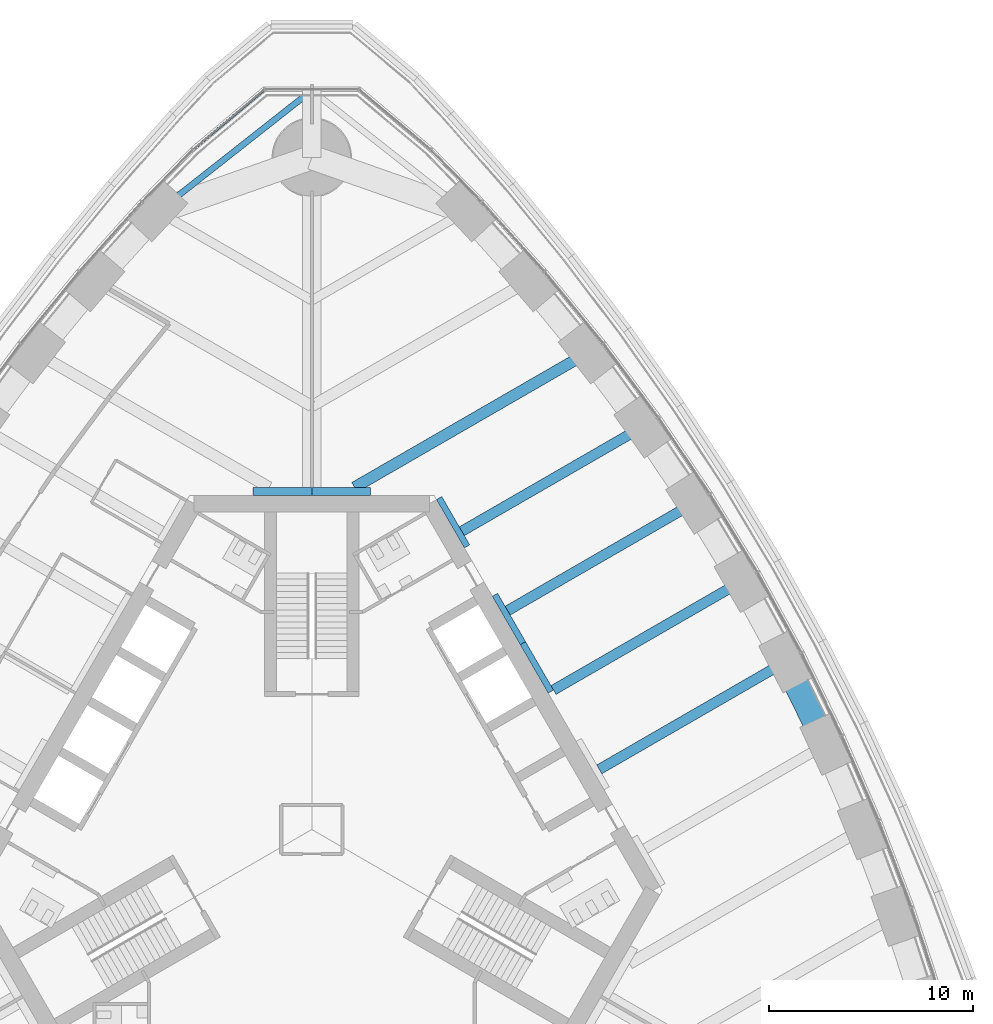
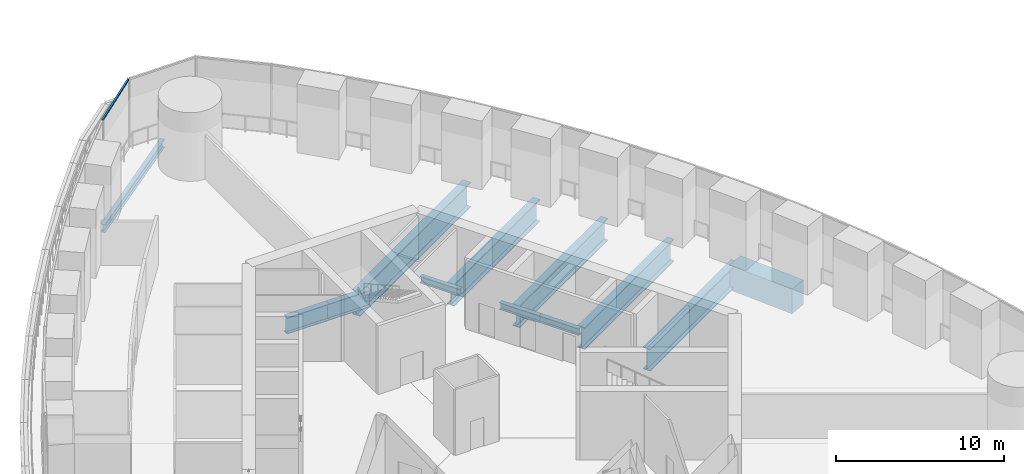
# One storey, part 7 of 31: 12 beams, 1 member, 1 element without a shape of its own.
"""IFC4 building model written with IfcOpenShell, lengths in metres."""

from ifc_helpers import new_model, si_unit, direction, frame, origin, origin_2d, place, context, subcontext, project, spatial, rectangle, i_section, extrude, material, material_profile, profile_set, type_object, element, aggregate, save


model = new_model("IFC4")

# Units and contexts
model_context = context("Model", 3, precision=1e-05, world=origin(), true_north=direction((0.0, 1.0)))
body_context = subcontext(model_context, "Body", "Model", "MODEL_VIEW")
ifc_project = project(units=[si_unit("LENGTHUNIT", "METRE"), si_unit("AREAUNIT", "SQUARE_METRE"), si_unit("VOLUMEUNIT", "CUBIC_METRE"), si_unit("PLANEANGLEUNIT", "RADIAN"), si_unit("MASSUNIT", "GRAM", prefix="KILO")], contexts=[model_context])

# Site, building, storey
site_placement = place(None, origin())
site = spatial("IfcSite", under=ifc_project, at=site_placement, CompositionType="ELEMENT")
building_placement = place(site_placement, origin())
building = spatial("IfcBuilding", under=site, at=building_placement, Name="Trefoil Bronze Tower", CompositionType="ELEMENT")
storey_placement = place(building_placement, frame((0.0, 0.0, 184.699951171875)))
storey = spatial("IfcBuildingStorey", under=building, at=storey_placement, Name="L42", CompositionType="ELEMENT", Elevation=184.699951171875)

# Curtain wall, member
ifc_material_1 = material(Name="Tinted solar-control glass", Category="glass")
curtain_wall_type = type_object("IfcCurtainWallType", Name="Bronze rounded corner curtain wall", PredefinedType="USERDEFINED", material=ifc_material_1)
curtain_wall_placement = place(storey_placement, origin())
curtain_wall = element("IfcCurtainWall", 1, at=curtain_wall_placement, inside=storey, type_object=curtain_wall_type, Name="CW-B L42 K2", ObjectType="CURTAIN WALL", PredefinedType="USERDEFINED")
ifc_material_2 = material(Name="Bronze-finish aluminium", Category="aluminium")
ifc_material_profile_1 = material_profile(ifc_material_2, rectangle(XDim=0.1201171875, YDim=0.10009765625, at=origin_2d()), Name="CW-B transom")
ifc_profile_set_1 = profile_set([ifc_material_profile_1], Name="Bronze-finish aluminium")
member_type = type_object("IfcMemberType", Name="Bronze rounded corner curtain wall transom", PredefinedType="USERDEFINED", material=ifc_profile_set_1)
member_placement = place(storey_placement, frame((-2.367431640625, 36.289794921875, 4.929931640625), z_axis=(-0.766046761698, -0.642784846501, 0.0), x_axis=(0.642784846501, -0.766046761698, 0.0)))
member = element("IfcMember", 2, at=member_placement, type_object=member_type, Name="CW-B L42 K2 transom 3", ObjectType="TRANSOM", PredefinedType="USERDEFINED", context=body_context, shape_type="SweptSolid", body=[
    extrude(rectangle(XDim=0.1201171875, YDim=0.10009765625, at=origin_2d()), origin(), (0.0, 0.0, 1.0), 4.5),
])
aggregate(curtain_wall, [member])

# Beams
ifc_material_3 = material(Name="Steel C355", Category="steel")
ifc_material_profile_2 = material_profile(ifc_material_3, i_section(OverallWidth=0.300048828125, OverallDepth=0.5, WebThickness=0.014404296875, FlangeThickness=0.028076171875, FilletRadius=0.027099609375, at=origin_2d()), Name="HEB 500")
ifc_profile_set_2 = profile_set([ifc_material_profile_2], Name="Steel C355")
beam_type_1 = type_object("IfcBeamType", Name="Core seat beam HEB 500", PredefinedType="BEAM", material=ifc_profile_set_2)
for number, where, z_axis, x_axis, name in (
    (3, (11.734619140625, 6.77490234375, -0.449951171875), (-0.499969057507, 0.866043267704, 0.0), (-0.866043267704, -0.499969057507, 0.0), "Core seat beam F2/+0 L42"),
    (4, (10.363525390625, 9.14990234375, -0.449951171875), (-0.500035825175, 0.866004719122, 0.0), (-0.866004719122, -0.500035825175, 0.0), "Core seat beam F2/+1 L42"),
    (5, (7.62109375, 13.89990234375, -0.449951171875), (-0.500035825175, 0.866004719122, 0.0), (-0.866004719122, -0.500035825175, 0.0), "Core seat beam F2/+2 L42"),
):
    element("IfcBeam", number, at=place(storey_placement, frame(where, z_axis=z_axis, x_axis=x_axis)), inside=storey, type_object=beam_type_1, Name=name, PredefinedType="BEAM", context=body_context, shape_type="SweptSolid", body=[
        extrude(i_section(OverallWidth=0.300048828125, OverallDepth=0.5, WebThickness=0.014404296875, FlangeThickness=0.028076171875, FilletRadius=0.027099609375, at=origin_2d()), origin(), (0.0, 0.0, 1.0), 2.742431640625),
    ])
ifc_material_4 = material(Name="Steel C355", Category="steel")
ifc_material_profile_3 = material_profile(ifc_material_4, i_section(OverallWidth=0.39990234375, OverallDepth=1.199951171875, WebThickness=0.02001953125, FlangeThickness=0.0400390625, FilletRadius=0.010009765625, at=origin_2d()), Name="WPG 1200")
ifc_profile_set_3 = profile_set([ifc_material_profile_3], Name="Steel C355")
beam_type_2 = type_object("IfcBeamType", Name="Core seat beam WPG 1200", PredefinedType="BEAM", material=ifc_profile_set_3)
for number, where, z_axis, x_axis, name in (
    (6, (2.88671875, 16.60009765625, -0.800048828125), (-1.0, 0.0, 0.0), (0.0, -1.0, 0.0), "Core seat beam F2/+3 L42"),
    (7, (0.0, 16.60009765625, -0.800048828125), (-1.0, 0.0, 0.0), (0.0, -1.0, 0.0), "Core seat beam F3/-3 L42"),
):
    element("IfcBeam", number, at=place(storey_placement, frame(where, z_axis=z_axis, x_axis=x_axis)), inside=storey, type_object=beam_type_2, Name=name, PredefinedType="BEAM", context=body_context, shape_type="SweptSolid", body=[
        extrude(i_section(OverallWidth=0.39990234375, OverallDepth=1.199951171875, WebThickness=0.02001953125, FlangeThickness=0.0400390625, FilletRadius=0.010009765625, at=origin_2d()), origin(), (0.0, 0.0, 1.0), 2.88671875),
    ])
ifc_material_5 = material(Name="Steel C355", Category="steel")
ifc_material_profile_4 = material_profile(ifc_material_5, i_section(OverallWidth=0.300048828125, OverallDepth=0.60009765625, WebThickness=0.015380859375, FlangeThickness=0.030029296875, FilletRadius=0.027099609375, at=origin_2d()), Name="HEB 600")
ifc_profile_set_4 = profile_set([ifc_material_profile_4], Name="Steel C355")
beam_type_3 = type_object("IfcBeamType", Name="Corner edge beam HEB 600", PredefinedType="BEAM", material=ifc_profile_set_4)
beam_1_placement = place(storey_placement, frame((-7.552001953125, 30.3408203125, -0.5), z_axis=(0.785805912008, 0.618473175371, 0.0), x_axis=(-0.618473175371, 0.785805912008, 0.0)))
element("IfcBeam", 8, at=beam_1_placement, inside=storey, type_object=beam_type_3, Name="Corner edge beam F3B L42", PredefinedType="BEAM", context=body_context, shape_type="SweptSolid", body=[
    extrude(i_section(OverallWidth=0.300048828125, OverallDepth=0.60009765625, WebThickness=0.015380859375, FlangeThickness=0.030029296875, FilletRadius=0.027099609375, at=origin_2d()), origin(), (0.0, 0.0, 1.0), 9.610595703125),
])
ifc_material_6 = material(Name="Steel C355", Category="steel")
ifc_material_profile_5 = material_profile(ifc_material_6, i_section(OverallWidth=0.5, OverallDepth=1.60009765625, WebThickness=0.02587890625, FlangeThickness=0.050048828125, FilletRadius=0.011962890625, at=origin_2d()), Name="WPG 1600")
ifc_profile_set_5 = profile_set([ifc_material_profile_5], Name="Steel C355")
beam_type_4 = type_object("IfcBeamType", Name="Floor beam WPG 1600", PredefinedType="BEAM", material=ifc_profile_set_5)
beam_2_placement = place(storey_placement, frame((23.248046875, 8.22607421875, -1.0), z_axis=(-0.866027918957, -0.499995643569, 0.0), x_axis=(0.499995643569, -0.866027918957, 0.0)))
element("IfcBeam", 9, at=beam_2_placement, inside=storey, type_object=beam_type_4, Name="Floor beam F2/-1 L42", PredefinedType="BEAM", context=body_context, shape_type="SweptSolid", body=[
    extrude(i_section(OverallWidth=0.5, OverallDepth=1.60009765625, WebThickness=0.02587890625, FlangeThickness=0.050048828125, FilletRadius=0.011962890625, at=origin_2d()), origin(), (0.0, 0.0, 1.0), 10.54638671875),
])
beam_3_placement = place(storey_placement, frame((21.08837890625, 12.17529296875, -1.0), z_axis=(-0.866034044198, -0.499985034066, 0.0), x_axis=(0.499985034066, -0.866034044198, 0.0)))
element("IfcBeam", 10, at=beam_3_placement, inside=storey, type_object=beam_type_4, Name="Floor beam F2/+0 L42", PredefinedType="BEAM", context=body_context, shape_type="SweptSolid", body=[
    extrude(i_section(OverallWidth=0.5, OverallDepth=1.60009765625, WebThickness=0.02587890625, FlangeThickness=0.050048828125, FilletRadius=0.011962890625, at=origin_2d()), origin(), (0.0, 0.0, 1.0), 10.650634765625),
])
beam_4_placement = place(storey_placement, frame((18.748046875, 16.020263671875, -1.0), z_axis=(-0.866027918957, -0.499995643569, 0.0), x_axis=(0.499995643569, -0.866027918957, 0.0)))
element("IfcBeam", 11, at=beam_4_placement, inside=storey, type_object=beam_type_4, Name="Floor beam F2/+1 L42", PredefinedType="BEAM", context=body_context, shape_type="SweptSolid", body=[
    extrude(i_section(OverallWidth=0.5, OverallDepth=1.60009765625, WebThickness=0.02587890625, FlangeThickness=0.050048828125, FilletRadius=0.011962890625, at=origin_2d()), origin(), (0.0, 0.0, 1.0), 10.54638671875),
])
beam_5_placement = place(storey_placement, frame((16.2265625, 19.7607421875, -1.0), z_axis=(-0.866027856548, -0.499995751665, 0.0), x_axis=(0.499995751665, -0.866027856548, 0.0)))
element("IfcBeam", 12, at=beam_5_placement, inside=storey, type_object=beam_type_4, Name="Floor beam F2/+2 L42", PredefinedType="BEAM", context=body_context, shape_type="SweptSolid", body=[
    extrude(i_section(OverallWidth=0.5, OverallDepth=1.60009765625, WebThickness=0.02587890625, FlangeThickness=0.050048828125, FilletRadius=0.011962890625, at=origin_2d()), origin(), (0.0, 0.0, 1.0), 10.23291015625),
])
ifc_material_7 = material(Name="Steel C355", Category="steel")
ifc_material_profile_6 = material_profile(ifc_material_7, i_section(OverallWidth=0.550048828125, OverallDepth=1.800048828125, WebThickness=0.029052734375, FlangeThickness=0.054931640625, FilletRadius=0.013916015625, at=origin_2d()), Name="WPG 1800")
ifc_profile_set_6 = profile_set([ifc_material_profile_6], Name="Steel C355")
beam_type_5 = type_object("IfcBeamType", Name="Floor beam WPG 1800", PredefinedType="BEAM", material=ifc_profile_set_6)
beam_6_placement = place(storey_placement, frame((13.522216796875, 23.3955078125, -1.099853515625), z_axis=(-0.866028399451, -0.499994811317, 0.0), x_axis=(0.499994811317, -0.866028399451, 0.0)))
element("IfcBeam", 13, at=beam_6_placement, inside=storey, type_object=beam_type_5, Name="Floor beam F2/+3 L42", PredefinedType="BEAM", context=body_context, shape_type="SweptSolid", body=[
    extrude(i_section(OverallWidth=0.550048828125, OverallDepth=1.800048828125, WebThickness=0.029052734375, FlangeThickness=0.054931640625, FilletRadius=0.013916015625, at=origin_2d()), origin(), (0.0, 0.0, 1.0), 13.191162109375),
])
ifc_material_8 = material(Name="Concrete B80", Category="concrete")
ifc_material_profile_7 = material_profile(ifc_material_8, rectangle(XDim=1.199951171875, YDim=1.800048828125, at=origin_2d()), Name="RC 1200x1800")
ifc_profile_set_7 = profile_set([ifc_material_profile_7], Name="Concrete B80")
beam_type_6 = type_object("IfcBeamType", Name="Spandrel beam RC 1200x1800", PredefinedType="SPANDREL", material=ifc_profile_set_7)
beam_7_placement = place(storey_placement, frame((25.2265625, 4.17236328125, -1.099853515625), z_axis=(-0.438619830351, 0.898672712629, 0.0), x_axis=(-0.898672712629, -0.438619830351, 0.0)))
element("IfcBeam", 14, at=beam_7_placement, inside=storey, type_object=beam_type_6, Name="Spandrel F2.5 L42", PredefinedType="SPANDREL", context=body_context, shape_type="SweptSolid", body=[
    extrude(rectangle(XDim=1.199951171875, YDim=1.800048828125, at=origin_2d()), origin(), (0.0, 0.0, 1.0), 4.5107421875),
])

save(model, "model.ifc")
